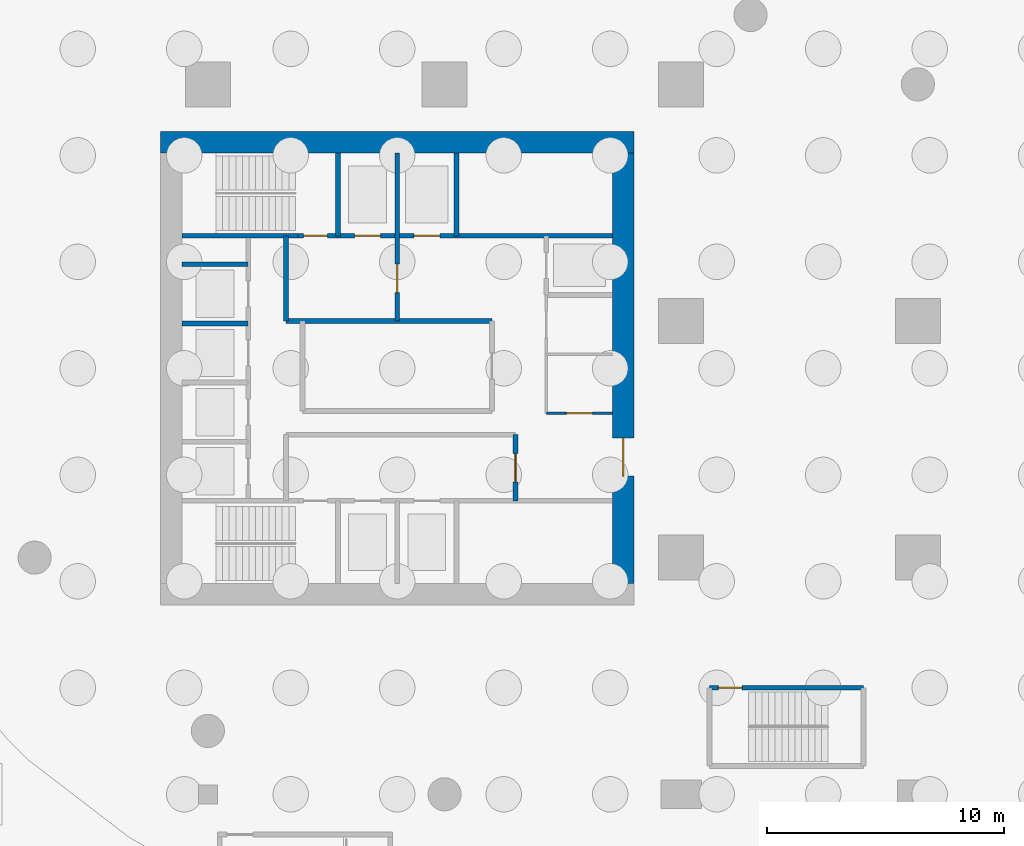
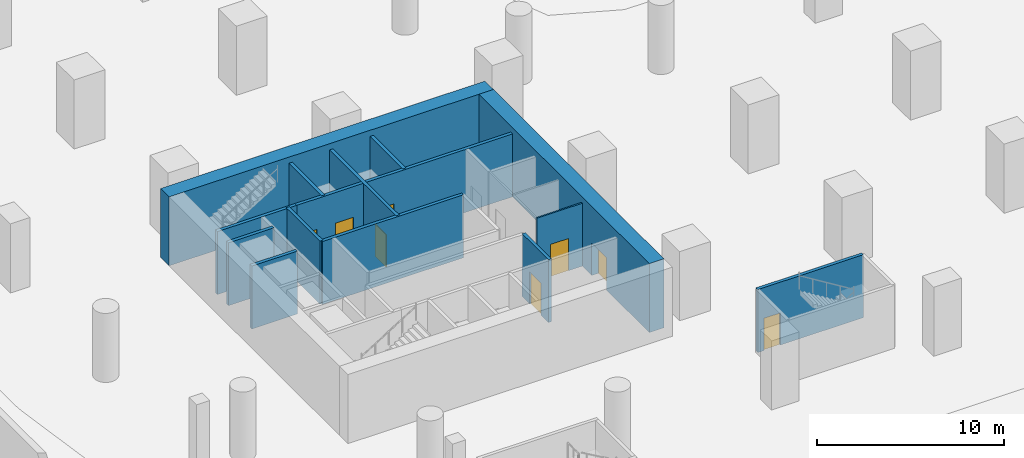
# One storey, part 7 of 19: 14 walls, 8 doors, 8 openings.
"""IFC4 building model written with IfcOpenShell, lengths in metres."""

from ifc_helpers import new_model, si_unit, direction, frame, frame_2d, origin, place, context, subcontext, project, spatial, rectangle, extrude, material, layer, layer_set, type_object, element, fill, save


model = new_model("IFC4")

# Units and contexts
model_context = context("Model", 3, precision=1e-05, world=origin(), true_north=direction((0.0, 1.0)))
body_context = subcontext(model_context, "Body", "Model", "MODEL_VIEW")
ifc_project = project(units=[si_unit("LENGTHUNIT", "METRE"), si_unit("AREAUNIT", "SQUARE_METRE"), si_unit("VOLUMEUNIT", "CUBIC_METRE"), si_unit("PLANEANGLEUNIT", "RADIAN"), si_unit("MASSUNIT", "GRAM", prefix="KILO")], contexts=[model_context])

# Site, building, storey
site_placement = place(None, origin())
site = spatial("IfcSite", under=ifc_project, at=site_placement, CompositionType="ELEMENT")
building_placement = place(site_placement, origin())
building = spatial("IfcBuilding", under=site, at=building_placement, Name="Qaws Garden Tower", CompositionType="ELEMENT")
storey_placement = place(building_placement, frame((0.0, 0.0, -9.0)))
storey = spatial("IfcBuildingStorey", under=building, at=storey_placement, Name="B2", CompositionType="ELEMENT", Elevation=-9.0)

# Wall, opening, door
ifc_material_1 = material(Name="Plasterboard")
ifc_layer_1 = layer(ifc_material_1, 0.10009765625)
ifc_layer_set_1 = layer_set([ifc_layer_1], Name="Plasterboard")
wall_type_1 = type_object("IfcWallType", Name="Core partition 100", PredefinedType="PARTITIONING", material=ifc_layer_set_1)
wall_1_placement = place(storey_placement, frame((24.300048828125, 16.10009765625, 0.0), z_axis=(0.0, 0.0, 1.0), x_axis=(1.0, 0.0, 0.0)))
wall_1 = element("IfcWall", 1, at=wall_1_placement, inside=storey, type_object=wall_type_1, Name="Core partition", PredefinedType="PARTITIONING", context=body_context, shape_type="SweptSolid", body=[
    extrude(rectangle(XDim=2.800048828125, YDim=0.10009765625, at=frame_2d((1.39990234375, 0.0))), origin(), (0.0, 0.0, 1.0), 4.10009765625),
])
opening_1_placement = place(wall_1_placement, frame((0.85009765625, 0.0, 0.0)))
opening_1 = element("IfcOpeningElement", 2, at=opening_1_placement, cuts=wall_1, Name="Opening XD15", PredefinedType="OPENING", context=body_context, shape_type="SweptSolid", body=[
    extrude(rectangle(XDim=1.10009765625, YDim=2.10009765625, at=frame_2d((0.550048828125, 1.050048828125))), frame((0.0, 0.06005859375, 0.0), z_axis=(0.0, -1.0, 0.0), x_axis=(1.0, 0.0, 0.0)), (0.0, 0.0, 1.0), 0.1201171875),
])
ifc_material_2 = material(Name="Timber", Category="wood")
door_type_1 = type_object("IfcDoorType", Name="WC lobby door 1100x2100", OperationType="SINGLE_SWING_LEFT", PredefinedType="DOOR", material=ifc_material_2)
door_1_placement = place(opening_1_placement, origin())
door_1 = element("IfcDoor", 3, at=door_1_placement, inside=storey, type_object=door_type_1, Name="Pump and sump room door", OperationType="SINGLE_SWING_LEFT", OverallHeight=2.10009765625, OverallWidth=1.10009765625, PredefinedType="DOOR", context=body_context, shape_type="SweptSolid", body=[
    extrude(rectangle(XDim=1.10009765625, YDim=2.10009765625, at=frame_2d((0.550048828125, 1.050048828125))), frame((0.0, 0.02490234375, 0.0), z_axis=(0.0, -1.0, 0.0), x_axis=(1.0, 0.0, 0.0)), (0.0, 0.0, 1.0), 0.050048828125),
])
fill(opening_1, door_1)

ifc_material_3 = material(Name="Concrete C80", Category="concrete")
ifc_layer_2 = layer(ifc_material_3, 0.199951171875)
ifc_layer_set_2 = layer_set([ifc_layer_2], Name="Concrete C80")
wall_type_2 = type_object("IfcWallType", Name="Core shaft wall 200 C80", PredefinedType="SHEAR", material=ifc_layer_set_2)
wall_2_placement = place(storey_placement, frame((31.199951171875, 4.5, 0.0), z_axis=(0.0, 0.0, 1.0), x_axis=(1.0, 0.0, 0.0)))
wall_2 = element("IfcWall", 4, at=wall_2_placement, inside=storey, type_object=wall_type_2, Name="Shaft wall", PredefinedType="SHEAR", context=body_context, shape_type="SweptSolid", body=[
    extrude(rectangle(XDim=6.5, YDim=0.199951171875, at=frame_2d((3.25, 0.0))), origin(), (0.0, 0.0, 1.0), 4.10009765625),
])
opening_2_placement = place(wall_2_placement, frame((0.375, 0.0, 0.0)))
opening_2 = element("IfcOpeningElement", 5, at=opening_2_placement, cuts=wall_2, Name="Opening SD12", PredefinedType="OPENING", context=body_context, shape_type="SweptSolid", body=[
    extrude(rectangle(XDim=1.0, YDim=2.10009765625, at=frame_2d((0.5, 1.050048828125))), frame((0.0, 0.10986328125, 0.0), z_axis=(0.0, -1.0, 0.0), x_axis=(1.0, 0.0, 0.0)), (0.0, 0.0, 1.0), 0.219970703125),
])
ifc_material_4 = material(Name="Steel S235", Category="steel")
door_type_2 = type_object("IfcDoorType", Name="Stair door 1000x2100", OperationType="SINGLE_SWING_RIGHT", PredefinedType="DOOR", material=ifc_material_4)
door_2_placement = place(opening_2_placement, frame((1.0, 0.0, 0.0), z_axis=(0.0, 0.0, 1.0), x_axis=(-1.0, 0.0, 0.0)))
door_2 = element("IfcDoor", 6, at=door_2_placement, inside=storey, type_object=door_type_2, Name="Stair 5 door", OperationType="SINGLE_SWING_RIGHT", OverallHeight=2.10009765625, OverallWidth=1.0, PredefinedType="DOOR", context=body_context, shape_type="SweptSolid", body=[
    extrude(rectangle(XDim=1.0, YDim=2.10009765625, at=frame_2d((0.5, 1.050048828125))), frame((0.0, 0.02490234375, 0.0), z_axis=(0.0, -1.0, 0.0), x_axis=(1.0, 0.0, 0.0)), (0.0, 0.0, 1.0), 0.050048828125),
])
fill(opening_2, door_2)

# Walls
wall_3_placement = place(storey_placement, frame((8.89990234375, 19.89990234375, 0.0), z_axis=(0.0, 0.0, 1.0), x_axis=(1.0, 0.0, 0.0)))
element("IfcWall", 7, at=wall_3_placement, inside=storey, type_object=wall_type_2, Name="Shaft wall", PredefinedType="SHEAR", context=body_context, shape_type="SweptSolid", body=[
    extrude(rectangle(XDim=2.800048828125, YDim=0.199951171875, at=frame_2d((1.39990234375, 0.0))), origin(), (0.0, 0.0, 1.0), 4.10009765625),
])
wall_4_placement = place(storey_placement, frame((13.300048828125, 20.0, 0.0), z_axis=(0.0, 0.0, 1.0), x_axis=(1.0, 0.0, 0.0)))
element("IfcWall", 8, at=wall_4_placement, inside=storey, type_object=wall_type_2, Name="Shaft wall", PredefinedType="SHEAR", context=body_context, shape_type="SweptSolid", body=[
    extrude(rectangle(XDim=8.699951171875, YDim=0.199951171875, at=frame_2d((4.35009765625, 0.0))), origin(), (0.0, 0.0, 1.0), 4.10009765625),
])
wall_5_placement = place(storey_placement, frame((8.89990234375, 22.39990234375, 0.0), z_axis=(0.0, 0.0, 1.0), x_axis=(1.0, 0.0, 0.0)))
element("IfcWall", 9, at=wall_5_placement, inside=storey, type_object=wall_type_2, Name="Shaft wall", PredefinedType="SHEAR", context=body_context, shape_type="SweptSolid", body=[
    extrude(rectangle(XDim=2.800048828125, YDim=0.199951171875, at=frame_2d((1.39990234375, 0.0))), origin(), (0.0, 0.0, 1.0), 4.10009765625),
])
wall_6_placement = place(storey_placement, frame((8.89990234375, 23.60009765625, 0.0), z_axis=(0.0, 0.0, 1.0), x_axis=(1.0, 0.0, 0.0)))
element("IfcWall", 10, at=wall_6_placement, inside=storey, type_object=wall_type_2, Name="Shaft wall", PredefinedType="SHEAR", context=body_context, shape_type="SweptSolid", body=[
    extrude(rectangle(XDim=4.900146484375, YDim=0.199951171875, at=frame_2d((2.4501953125, 0.0))), origin(), (0.0, 0.0, 1.0), 4.10009765625),
])

# Wall, openings, doors
wall_7_placement = place(storey_placement, frame((13.800048828125, 23.60009765625, 0.0), z_axis=(0.0, 0.0, 1.0), x_axis=(1.0, 0.0, 0.0)))
wall_7 = element("IfcWall", 11, at=wall_7_placement, inside=storey, type_object=wall_type_2, Name="Shaft wall", PredefinedType="SHEAR", context=body_context, shape_type="SweptSolid", body=[
    extrude(rectangle(XDim=13.300048828125, YDim=0.199951171875, at=frame_2d((6.64990234375, 0.0))), origin(), (0.0, 0.0, 1.0), 4.10009765625),
])
opening_3_placement = place(wall_7_placement, frame((2.39990234375, 0.0, 0.0)))
opening_3 = element("IfcOpeningElement", 12, at=opening_3_placement, cuts=wall_7, Name="Opening LD08", PredefinedType="OPENING", context=body_context, shape_type="SweptSolid", body=[
    extrude(rectangle(XDim=1.10009765625, YDim=2.10009765625, at=frame_2d((0.550048828125, 1.050048828125))), frame((0.0, 0.10986328125, 0.0), z_axis=(0.0, -1.0, 0.0), x_axis=(1.0, 0.0, 0.0)), (0.0, 0.0, 1.0), 0.219970703125),
])
opening_4_placement = place(wall_7_placement, frame((4.89990234375, 0.0, 0.0)))
opening_4 = element("IfcOpeningElement", 13, at=opening_4_placement, cuts=wall_7, Name="Opening LD09", PredefinedType="OPENING", context=body_context, shape_type="SweptSolid", body=[
    extrude(rectangle(XDim=1.10009765625, YDim=2.10009765625, at=frame_2d((0.550048828125, 1.050048828125))), frame((0.0, 0.10986328125, 0.0), z_axis=(0.0, -1.0, 0.0), x_axis=(1.0, 0.0, 0.0)), (0.0, 0.0, 1.0), 0.219970703125),
])
opening_5_placement = place(wall_7_placement, frame((0.25, 0.0, 0.0)))
opening_5 = element("IfcOpeningElement", 14, at=opening_5_placement, cuts=wall_7, Name="Opening SD11", PredefinedType="OPENING", context=body_context, shape_type="SweptSolid", body=[
    extrude(rectangle(XDim=1.0, YDim=2.10009765625, at=frame_2d((0.5, 1.050048828125))), frame((0.0, 0.10986328125, 0.0), z_axis=(0.0, -1.0, 0.0), x_axis=(1.0, 0.0, 0.0)), (0.0, 0.0, 1.0), 0.219970703125),
])
ifc_material_5 = material(Name="Steel S235", Category="steel")
door_type_3 = type_object("IfcDoorType", Name="Landing door 1100x2100", OperationType="DOUBLE_DOOR_SLIDING", PredefinedType="DOOR", material=ifc_material_5)
door_3_placement = place(opening_3_placement, origin())
door_3 = element("IfcDoor", 15, at=door_3_placement, inside=storey, type_object=door_type_3, Name="Lift FF3 landing door", OperationType="DOUBLE_DOOR_SLIDING", OverallHeight=2.10009765625, OverallWidth=1.10009765625, PredefinedType="DOOR", context=body_context, shape_type="SweptSolid", body=[
    extrude(rectangle(XDim=1.10009765625, YDim=2.10009765625, at=frame_2d((0.550048828125, 1.050048828125))), frame((0.0, 0.02490234375, 0.0), z_axis=(0.0, -1.0, 0.0), x_axis=(1.0, 0.0, 0.0)), (0.0, 0.0, 1.0), 0.050048828125),
])
fill(opening_3, door_3)
door_4_placement = place(opening_4_placement, origin())
door_4 = element("IfcDoor", 16, at=door_4_placement, inside=storey, type_object=door_type_3, Name="Lift SV2 landing door", OperationType="DOUBLE_DOOR_SLIDING", OverallHeight=2.10009765625, OverallWidth=1.10009765625, PredefinedType="DOOR", context=body_context, shape_type="SweptSolid", body=[
    extrude(rectangle(XDim=1.10009765625, YDim=2.10009765625, at=frame_2d((0.550048828125, 1.050048828125))), frame((0.0, 0.02490234375, 0.0), z_axis=(0.0, -1.0, 0.0), x_axis=(1.0, 0.0, 0.0)), (0.0, 0.0, 1.0), 0.050048828125),
])
fill(opening_4, door_4)
door_5_placement = place(opening_5_placement, origin())
door_5 = element("IfcDoor", 17, at=door_5_placement, inside=storey, type_object=door_type_2, Name="Stair 4 door", OperationType="SINGLE_SWING_RIGHT", OverallHeight=2.10009765625, OverallWidth=1.0, PredefinedType="DOOR", context=body_context, shape_type="SweptSolid", body=[
    extrude(rectangle(XDim=1.0, YDim=2.10009765625, at=frame_2d((0.5, 1.050048828125))), frame((0.0, 0.02490234375, 0.0), z_axis=(0.0, -1.0, 0.0), x_axis=(1.0, 0.0, 0.0)), (0.0, 0.0, 1.0), 0.050048828125),
])
fill(opening_5, door_5)

# Walls
wall_8_placement = place(storey_placement, frame((13.300048828125, 20.0, 0.0), z_axis=(0.0, 0.0, 1.0), x_axis=(0.0, 1.0, 0.0)))
element("IfcWall", 18, at=wall_8_placement, inside=storey, type_object=wall_type_2, Name="Shaft wall", PredefinedType="SHEAR", context=body_context, shape_type="SweptSolid", body=[
    extrude(rectangle(XDim=3.60009765625, YDim=0.199951171875, at=frame_2d((1.800048828125, 0.0))), origin(), (0.0, 0.0, 1.0), 4.10009765625),
])
wall_9_placement = place(storey_placement, frame((15.5, 23.60009765625, 0.0), z_axis=(0.0, 0.0, 1.0), x_axis=(0.0, 1.0, 0.0)))
element("IfcWall", 19, at=wall_9_placement, inside=storey, type_object=wall_type_2, Name="Shaft wall", PredefinedType="SHEAR", context=body_context, shape_type="SweptSolid", body=[
    extrude(rectangle(XDim=3.5, YDim=0.199951171875, at=frame_2d((1.75, 0.0))), origin(), (0.0, 0.0, 1.0), 4.10009765625),
])

# Wall, opening, door
wall_10_placement = place(storey_placement, frame((18.0, 20.0, 0.0), z_axis=(0.0, 0.0, 1.0), x_axis=(0.0, 1.0, 0.0)))
wall_10 = element("IfcWall", 20, at=wall_10_placement, inside=storey, type_object=wall_type_2, Name="Shaft wall", PredefinedType="SHEAR", context=body_context, shape_type="SweptSolid", body=[
    extrude(rectangle(XDim=7.10009765625, YDim=0.199951171875, at=frame_2d((3.550048828125, 0.0))), origin(), (0.0, 0.0, 1.0), 4.10009765625),
])
opening_6_placement = place(wall_10_placement, frame((1.199951171875, 0.0, 0.0)))
opening_6 = element("IfcOpeningElement", 21, at=opening_6_placement, cuts=wall_10, Name="Opening FD14", PredefinedType="OPENING", context=body_context, shape_type="SweptSolid", body=[
    extrude(rectangle(XDim=1.199951171875, YDim=2.10009765625, at=frame_2d((0.60009765625, 1.050048828125))), frame((0.0, 0.10986328125, 0.0), z_axis=(0.0, -1.0, 0.0), x_axis=(1.0, 0.0, 0.0)), (0.0, 0.0, 1.0), 0.219970703125),
])
ifc_material_6 = material(Name="Steel S235", Category="steel")
door_type_4 = type_object("IfcDoorType", Name="Lobby door 1200x2100", OperationType="DOUBLE_DOOR_SINGLE_SWING", PredefinedType="DOOR", material=ifc_material_6)
door_6_placement = place(opening_6_placement, origin())
door_6 = element("IfcDoor", 22, at=door_6_placement, inside=storey, type_object=door_type_4, Name="Fire-fighting lobby door", OperationType="DOUBLE_DOOR_SINGLE_SWING", OverallHeight=2.10009765625, OverallWidth=1.199951171875, PredefinedType="DOOR", context=body_context, shape_type="SweptSolid", body=[
    extrude(rectangle(XDim=1.199951171875, YDim=2.10009765625, at=frame_2d((0.60009765625, 1.050048828125))), frame((0.0, 0.02490234375, 0.0), z_axis=(0.0, -1.0, 0.0), x_axis=(1.0, 0.0, 0.0)), (0.0, 0.0, 1.0), 0.050048828125),
])
fill(opening_6, door_6)

# Wall
wall_11_placement = place(storey_placement, frame((20.5, 23.60009765625, 0.0), z_axis=(0.0, 0.0, 1.0), x_axis=(0.0, 1.0, 0.0)))
element("IfcWall", 23, at=wall_11_placement, inside=storey, type_object=wall_type_2, Name="Shaft wall", PredefinedType="SHEAR", context=body_context, shape_type="SweptSolid", body=[
    extrude(rectangle(XDim=3.5, YDim=0.199951171875, at=frame_2d((1.75, 0.0))), origin(), (0.0, 0.0, 1.0), 4.10009765625),
])

# Wall, opening, door
wall_12_placement = place(storey_placement, frame((23.0, 12.39990234375, 0.0), z_axis=(0.0, 0.0, 1.0), x_axis=(0.0, 1.0, 0.0)))
wall_12 = element("IfcWall", 24, at=wall_12_placement, inside=storey, type_object=wall_type_2, Name="Shaft wall", PredefinedType="SHEAR", context=body_context, shape_type="SweptSolid", body=[
    extrude(rectangle(XDim=2.800048828125, YDim=0.199951171875, at=frame_2d((1.39990234375, 0.0))), origin(), (0.0, 0.0, 1.0), 4.10009765625),
])
opening_7_placement = place(wall_12_placement, frame((0.800048828125, 0.0, 0.0)))
opening_7 = element("IfcOpeningElement", 25, at=opening_7_placement, cuts=wall_12, Name="Opening FD13", PredefinedType="OPENING", context=body_context, shape_type="SweptSolid", body=[
    extrude(rectangle(XDim=1.199951171875, YDim=2.10009765625, at=frame_2d((0.60009765625, 1.050048828125))), frame((0.0, 0.10986328125, 0.0), z_axis=(0.0, -1.0, 0.0), x_axis=(1.0, 0.0, 0.0)), (0.0, 0.0, 1.0), 0.219970703125),
])
door_7_placement = place(opening_7_placement, origin())
door_7 = element("IfcDoor", 26, at=door_7_placement, inside=storey, type_object=door_type_4, Name="Fire-fighting lobby door", OperationType="DOUBLE_DOOR_SINGLE_SWING", OverallHeight=2.10009765625, OverallWidth=1.199951171875, PredefinedType="DOOR", context=body_context, shape_type="SweptSolid", body=[
    extrude(rectangle(XDim=1.199951171875, YDim=2.10009765625, at=frame_2d((0.60009765625, 1.050048828125))), frame((0.0, 0.02490234375, 0.0), z_axis=(0.0, -1.0, 0.0), x_axis=(1.0, 0.0, 0.0)), (0.0, 0.0, 1.0), 0.050048828125),
])
fill(opening_7, door_7)

ifc_material_7 = material(Name="Concrete C80", Category="concrete")
ifc_layer_3 = layer(ifc_material_7, 0.89990234375)
ifc_layer_set_3 = layer_set([ifc_layer_3], Name="Concrete C80")
wall_type_3 = type_object("IfcWallType", Name="Core wall 900 C80", PredefinedType="SHEAR", material=ifc_layer_set_3)
wall_13_placement = place(storey_placement, frame((27.550048828125, 8.89990234375, 0.0), z_axis=(0.0, 0.0, 1.0), x_axis=(0.0, 1.0, 0.0)))
wall_13 = element("IfcWall", 27, at=wall_13_placement, inside=storey, type_object=wall_type_3, Name="Core wall B2 east", PredefinedType="SHEAR", context=body_context, shape_type="SweptSolid", body=[
    extrude(rectangle(XDim=18.2001953125, YDim=0.89990234375, at=frame_2d((9.10009765625, 0.0))), origin(), (0.0, 0.0, 1.0), 4.5),
])
opening_8_placement = place(wall_13_placement, frame((4.550048828125, 0.0, 0.0)))
opening_8 = element("IfcOpeningElement", 28, at=opening_8_placement, cuts=wall_13, Name="Opening ED18", PredefinedType="OPENING", context=body_context, shape_type="SweptSolid", body=[
    extrude(rectangle(XDim=1.60009765625, YDim=2.10009765625, at=frame_2d((0.800048828125, 1.050048828125))), frame((0.0, 0.4599609375, 0.0), z_axis=(0.0, -1.0, 0.0), x_axis=(1.0, 0.0, 0.0)), (0.0, 0.0, 1.0), 0.919921875),
])
ifc_material_8 = material(Name="Steel S235", Category="steel")
door_type_5 = type_object("IfcDoorType", Name="Core entrance door 1600x2100", OperationType="DOUBLE_DOOR_SINGLE_SWING", PredefinedType="DOOR", material=ifc_material_8)
door_8_placement = place(opening_8_placement, origin())
door_8 = element("IfcDoor", 29, at=door_8_placement, inside=storey, type_object=door_type_5, Name="Core entrance door", OperationType="DOUBLE_DOOR_SINGLE_SWING", OverallHeight=2.10009765625, OverallWidth=1.60009765625, PredefinedType="DOOR", context=body_context, shape_type="SweptSolid", body=[
    extrude(rectangle(XDim=1.60009765625, YDim=2.10009765625, at=frame_2d((0.800048828125, 1.050048828125))), frame((0.0, 0.02490234375, 0.0), z_axis=(0.0, -1.0, 0.0), x_axis=(1.0, 0.0, 0.0)), (0.0, 0.0, 1.0), 0.050048828125),
])
fill(opening_8, door_8)

# Wall
wall_14_placement = place(storey_placement, frame((28.0, 27.550048828125, 0.0), z_axis=(0.0, 0.0, 1.0), x_axis=(-1.0, 0.0, 0.0)))
element("IfcWall", 30, at=wall_14_placement, inside=storey, type_object=wall_type_3, Name="Core wall B2 north", PredefinedType="SHEAR", context=body_context, shape_type="SweptSolid", body=[
    extrude(rectangle(XDim=20.0, YDim=0.89990234375, at=frame_2d((10.0, 0.0))), origin(), (0.0, 0.0, 1.0), 4.5),
])

save(model, "model.ifc")
